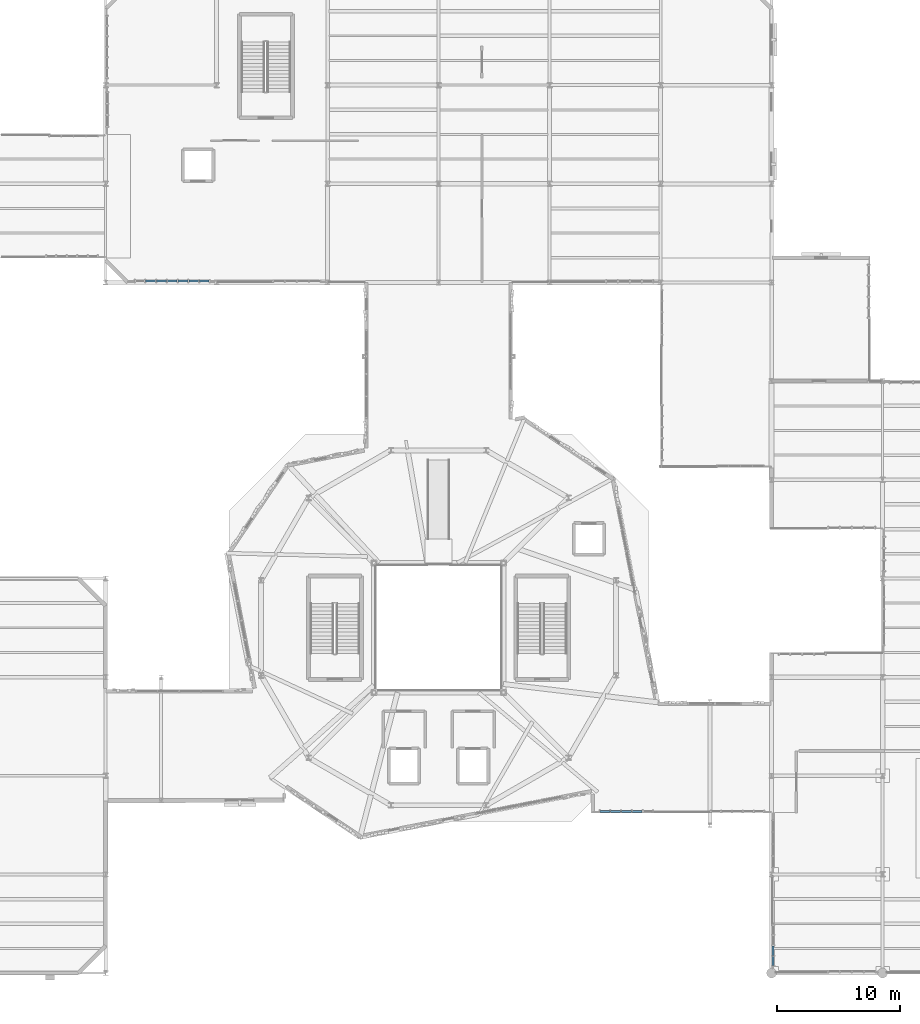
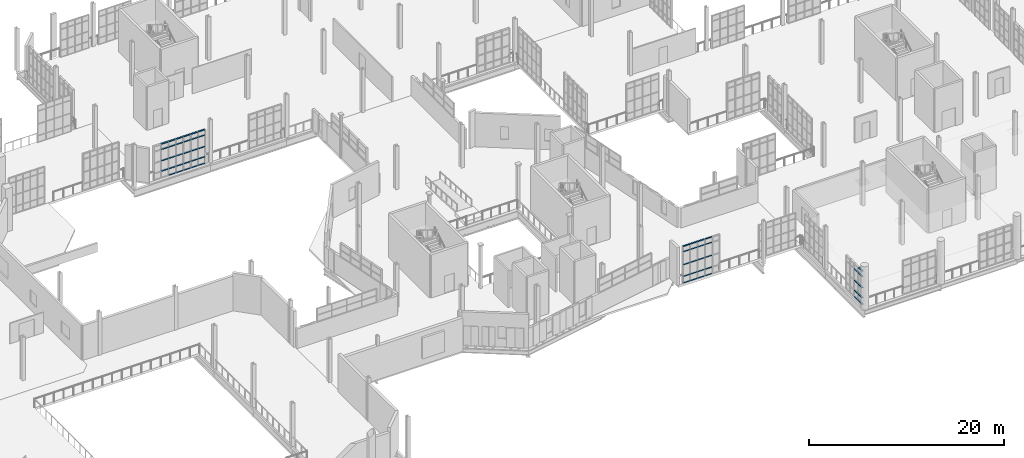
# One storey, part 87 of 142: 58 members, 3 elements without a shape of their own.
"""IFC4 building model written with IfcOpenShell, lengths in metres."""

from ifc_helpers import new_model, si_unit, direction, frame, origin, origin_2d, place, context, subcontext, project, spatial, hollow_rectangle, extrude, material, layer, layer_set, material_profile, profile_set, type_object, element, aggregate, save


model = new_model("IFC4")

# Units and contexts
model_context = context("Model", 3, precision=1e-05, world=origin(), true_north=direction((0.0, 1.0)))
body_context = subcontext(model_context, "Body", "Model", "MODEL_VIEW")
ifc_project = project(units=[si_unit("LENGTHUNIT", "METRE"), si_unit("AREAUNIT", "SQUARE_METRE"), si_unit("VOLUMEUNIT", "CUBIC_METRE"), si_unit("PLANEANGLEUNIT", "RADIAN"), si_unit("MASSUNIT", "GRAM", prefix="KILO"), si_unit("THERMODYNAMICTEMPERATUREUNIT", "KELVIN"), si_unit("POWERUNIT", "WATT")], contexts=[model_context])

# Site, building, storey
site_placement = place(None, origin())
site = spatial("IfcSite", under=ifc_project, at=site_placement, CompositionType="ELEMENT")
building_placement = place(site_placement, origin())
building = spatial("IfcBuilding", under=site, at=building_placement, Name="Zelmaris Science Centre", CompositionType="ELEMENT")
storey_placement = place(building_placement, frame((0.0, 0.0, 5.39990234375)))
storey = spatial("IfcBuildingStorey", under=building, at=storey_placement, Name="L01", CompositionType="ELEMENT", Elevation=5.39990234375)

# Curtain wall, members
ifc_material = material(Name="Anodised architectural aluminium 6063-T6", Category="aluminium")
ifc_layer_1 = layer(ifc_material, 0.199951171875, Name="Anodised architectural aluminium 6063-T6")
ifc_layer_set_1 = layer_set([ifc_layer_1], Name="Anodised architectural aluminium 6063-T6")
curtain_wall_type_1 = type_object("IfcCurtainWallType", Name="Curtain Wall CW-02", PredefinedType="USERDEFINED", material=ifc_layer_set_1)
curtain_wall_1_placement = place(storey_placement, origin())
curtain_wall_1 = element("IfcCurtainWall", 1, at=curtain_wall_1_placement, inside=storey, type_object=curtain_wall_type_1, Name="L01 Unitised curtain wall 174", ObjectType="GLAZED CURTAIN WALL", PredefinedType="USERDEFINED")
ifc_material_profile_1 = material_profile(ifc_material, hollow_rectangle(XDim=0.074951171875, YDim=0.159912109375, WallThickness=0.00390625, at=origin_2d()), Name="ALU-TRN-75X160")
ifc_profile_set_1 = profile_set([ifc_material_profile_1], Name="Anodised architectural aluminium 6063-T6")
member_type_1 = type_object("IfcMemberType", Name="ALU-TRN-75X160", PredefinedType="USERDEFINED", material=ifc_profile_set_1)
member_1_placement = place(storey_placement, frame((97.51123046875, 21.118896484375, 0.0185546875), z_axis=(-0.999999954473, 0.000301750137, 0.0), x_axis=(0.0, 0.0, 1.0)))
member_1 = element("IfcMember", 2, at=member_1_placement, type_object=member_type_1, Name="CW-02 transom 2.1", ObjectType="TRANSOM", PredefinedType="USERDEFINED", context=body_context, shape_type="SweptSolid", body=[
    extrude(hollow_rectangle(XDim=0.074951171875, YDim=0.159912109375, WallThickness=0.00390625, at=origin_2d()), origin(), (0.0, 0.0, 1.0), 0.80908203125),
])
member_2_placement = place(storey_placement, frame((97.51123046875, 21.118896484375, 0.835205078125), z_axis=(-0.999999954473, 0.000301750137, 0.0), x_axis=(0.0, 0.0, 1.0)))
member_2 = element("IfcMember", 3, at=member_2_placement, type_object=member_type_1, Name="CW-02 transom 2.2", ObjectType="TRANSOM", PredefinedType="USERDEFINED", context=body_context, shape_type="SweptSolid", body=[
    extrude(hollow_rectangle(XDim=0.074951171875, YDim=0.159912109375, WallThickness=0.00390625, at=origin_2d()), origin(), (0.0, 0.0, 1.0), 0.80908203125),
])
member_3_placement = place(storey_placement, frame((97.51123046875, 21.118896484375, 2.302490234375), z_axis=(-0.999999954473, 0.000301750137, 0.0), x_axis=(0.0, 0.0, 1.0)))
member_3 = element("IfcMember", 4, at=member_3_placement, type_object=member_type_1, Name="CW-02 transom 2.3", ObjectType="TRANSOM", PredefinedType="USERDEFINED", context=body_context, shape_type="SweptSolid", body=[
    extrude(hollow_rectangle(XDim=0.074951171875, YDim=0.159912109375, WallThickness=0.00390625, at=origin_2d()), origin(), (0.0, 0.0, 1.0), 0.80908203125),
])
member_4_placement = place(storey_placement, frame((97.51123046875, 21.118896484375, 3.920166015625), z_axis=(-0.999999954473, 0.000301750137, 0.0), x_axis=(0.0, 0.0, 1.0)))
member_4 = element("IfcMember", 5, at=member_4_placement, type_object=member_type_1, Name="CW-02 transom 2.4", ObjectType="TRANSOM", PredefinedType="USERDEFINED", context=body_context, shape_type="SweptSolid", body=[
    extrude(hollow_rectangle(XDim=0.074951171875, YDim=0.159912109375, WallThickness=0.00390625, at=origin_2d()), origin(), (0.0, 0.0, 1.0), 0.80908203125),
])
member_5_placement = place(storey_placement, frame((97.51123046875, 21.118896484375, 4.586669921875), z_axis=(-0.999999954473, 0.000301750137, 0.0), x_axis=(0.0, 0.0, 1.0)))
member_5 = element("IfcMember", 6, at=member_5_placement, type_object=member_type_1, Name="CW-02 transom 2.5", ObjectType="TRANSOM", PredefinedType="USERDEFINED", context=body_context, shape_type="SweptSolid", body=[
    extrude(hollow_rectangle(XDim=0.074951171875, YDim=0.159912109375, WallThickness=0.00390625, at=origin_2d()), origin(), (0.0, 0.0, 1.0), 0.80908203125),
])
member_6_placement = place(storey_placement, frame((96.63525390625, 21.119140625, 0.0185546875), z_axis=(-0.999999954501, 0.000301659111, 0.0), x_axis=(0.0, 0.0, 1.0)))
member_6 = element("IfcMember", 7, at=member_6_placement, type_object=member_type_1, Name="CW-02 transom 3.1", ObjectType="TRANSOM", PredefinedType="USERDEFINED", context=body_context, shape_type="SweptSolid", body=[
    extrude(hollow_rectangle(XDim=0.074951171875, YDim=0.159912109375, WallThickness=0.00390625, at=origin_2d()), origin(), (0.0, 0.0, 1.0), 0.809326171875),
])
member_7_placement = place(storey_placement, frame((96.63525390625, 21.119140625, 0.835205078125), z_axis=(-0.999999954501, 0.000301659111, 0.0), x_axis=(0.0, 0.0, 1.0)))
member_7 = element("IfcMember", 8, at=member_7_placement, type_object=member_type_1, Name="CW-02 transom 3.2", ObjectType="TRANSOM", PredefinedType="USERDEFINED", context=body_context, shape_type="SweptSolid", body=[
    extrude(hollow_rectangle(XDim=0.074951171875, YDim=0.159912109375, WallThickness=0.00390625, at=origin_2d()), origin(), (0.0, 0.0, 1.0), 0.809326171875),
])
member_8_placement = place(storey_placement, frame((96.63525390625, 21.119140625, 2.302490234375), z_axis=(-0.999999954501, 0.000301659111, 0.0), x_axis=(0.0, 0.0, 1.0)))
member_8 = element("IfcMember", 9, at=member_8_placement, type_object=member_type_1, Name="CW-02 transom 3.3", ObjectType="TRANSOM", PredefinedType="USERDEFINED", context=body_context, shape_type="SweptSolid", body=[
    extrude(hollow_rectangle(XDim=0.074951171875, YDim=0.159912109375, WallThickness=0.00390625, at=origin_2d()), origin(), (0.0, 0.0, 1.0), 0.809326171875),
])
member_9_placement = place(storey_placement, frame((96.63525390625, 21.119140625, 3.920166015625), z_axis=(-0.999999954501, 0.000301659111, 0.0), x_axis=(0.0, 0.0, 1.0)))
member_9 = element("IfcMember", 10, at=member_9_placement, type_object=member_type_1, Name="CW-02 transom 3.4", ObjectType="TRANSOM", PredefinedType="USERDEFINED", context=body_context, shape_type="SweptSolid", body=[
    extrude(hollow_rectangle(XDim=0.074951171875, YDim=0.159912109375, WallThickness=0.00390625, at=origin_2d()), origin(), (0.0, 0.0, 1.0), 0.809326171875),
])
member_10_placement = place(storey_placement, frame((96.63525390625, 21.119140625, 4.586669921875), z_axis=(-0.999999954501, 0.000301659111, 0.0), x_axis=(0.0, 0.0, 1.0)))
member_10 = element("IfcMember", 11, at=member_10_placement, type_object=member_type_1, Name="CW-02 transom 3.5", ObjectType="TRANSOM", PredefinedType="USERDEFINED", context=body_context, shape_type="SweptSolid", body=[
    extrude(hollow_rectangle(XDim=0.074951171875, YDim=0.159912109375, WallThickness=0.00390625, at=origin_2d()), origin(), (0.0, 0.0, 1.0), 0.809326171875),
])
member_11_placement = place(storey_placement, frame((95.759033203125, 21.119384765625, 0.0185546875), z_axis=(-0.999999954501, 0.000301659111, 0.0), x_axis=(0.0, 0.0, 1.0)))
member_11 = element("IfcMember", 12, at=member_11_placement, type_object=member_type_1, Name="CW-02 transom 4.1", ObjectType="TRANSOM", PredefinedType="USERDEFINED", context=body_context, shape_type="SweptSolid", body=[
    extrude(hollow_rectangle(XDim=0.074951171875, YDim=0.159912109375, WallThickness=0.00390625, at=origin_2d()), origin(), (0.0, 0.0, 1.0), 0.809326171875),
])
member_12_placement = place(storey_placement, frame((95.759033203125, 21.119384765625, 0.835205078125), z_axis=(-0.999999954501, 0.000301659111, 0.0), x_axis=(0.0, 0.0, 1.0)))
member_12 = element("IfcMember", 13, at=member_12_placement, type_object=member_type_1, Name="CW-02 transom 4.2", ObjectType="TRANSOM", PredefinedType="USERDEFINED", context=body_context, shape_type="SweptSolid", body=[
    extrude(hollow_rectangle(XDim=0.074951171875, YDim=0.159912109375, WallThickness=0.00390625, at=origin_2d()), origin(), (0.0, 0.0, 1.0), 0.809326171875),
])
member_13_placement = place(storey_placement, frame((95.759033203125, 21.119384765625, 2.302490234375), z_axis=(-0.999999954501, 0.000301659111, 0.0), x_axis=(0.0, 0.0, 1.0)))
member_13 = element("IfcMember", 14, at=member_13_placement, type_object=member_type_1, Name="CW-02 transom 4.3", ObjectType="TRANSOM", PredefinedType="USERDEFINED", context=body_context, shape_type="SweptSolid", body=[
    extrude(hollow_rectangle(XDim=0.074951171875, YDim=0.159912109375, WallThickness=0.00390625, at=origin_2d()), origin(), (0.0, 0.0, 1.0), 0.809326171875),
])
member_14_placement = place(storey_placement, frame((95.759033203125, 21.119384765625, 3.920166015625), z_axis=(-0.999999954501, 0.000301659111, 0.0), x_axis=(0.0, 0.0, 1.0)))
member_14 = element("IfcMember", 15, at=member_14_placement, type_object=member_type_1, Name="CW-02 transom 4.4", ObjectType="TRANSOM", PredefinedType="USERDEFINED", context=body_context, shape_type="SweptSolid", body=[
    extrude(hollow_rectangle(XDim=0.074951171875, YDim=0.159912109375, WallThickness=0.00390625, at=origin_2d()), origin(), (0.0, 0.0, 1.0), 0.809326171875),
])
member_15_placement = place(storey_placement, frame((95.759033203125, 21.119384765625, 4.586669921875), z_axis=(-0.999999954501, 0.000301659111, 0.0), x_axis=(0.0, 0.0, 1.0)))
member_15 = element("IfcMember", 16, at=member_15_placement, type_object=member_type_1, Name="CW-02 transom 4.5", ObjectType="TRANSOM", PredefinedType="USERDEFINED", context=body_context, shape_type="SweptSolid", body=[
    extrude(hollow_rectangle(XDim=0.074951171875, YDim=0.159912109375, WallThickness=0.00390625, at=origin_2d()), origin(), (0.0, 0.0, 1.0), 0.809326171875),
])
member_16_placement = place(storey_placement, frame((94.8828125, 21.11962890625, 0.0185546875), z_axis=(-0.999999950462, 0.000314762339, 0.0), x_axis=(0.0, 0.0, 1.0)))
member_16 = element("IfcMember", 17, at=member_16_placement, type_object=member_type_1, Name="CW-02 transom 5.1", ObjectType="TRANSOM", PredefinedType="USERDEFINED", context=body_context, shape_type="SweptSolid", body=[
    extrude(hollow_rectangle(XDim=0.074951171875, YDim=0.159912109375, WallThickness=0.00390625, at=origin_2d()), origin(), (0.0, 0.0, 1.0), 0.775634765625),
])
member_17_placement = place(storey_placement, frame((94.8828125, 21.11962890625, 0.835205078125), z_axis=(-0.999999950462, 0.000314762339, 0.0), x_axis=(0.0, 0.0, 1.0)))
member_17 = element("IfcMember", 18, at=member_17_placement, type_object=member_type_1, Name="CW-02 transom 5.2", ObjectType="TRANSOM", PredefinedType="USERDEFINED", context=body_context, shape_type="SweptSolid", body=[
    extrude(hollow_rectangle(XDim=0.074951171875, YDim=0.159912109375, WallThickness=0.00390625, at=origin_2d()), origin(), (0.0, 0.0, 1.0), 0.775634765625),
])
member_18_placement = place(storey_placement, frame((94.8828125, 21.11962890625, 2.302490234375), z_axis=(-0.999999950462, 0.000314762339, 0.0), x_axis=(0.0, 0.0, 1.0)))
member_18 = element("IfcMember", 19, at=member_18_placement, type_object=member_type_1, Name="CW-02 transom 5.3", ObjectType="TRANSOM", PredefinedType="USERDEFINED", context=body_context, shape_type="SweptSolid", body=[
    extrude(hollow_rectangle(XDim=0.074951171875, YDim=0.159912109375, WallThickness=0.00390625, at=origin_2d()), origin(), (0.0, 0.0, 1.0), 0.775634765625),
])
member_19_placement = place(storey_placement, frame((94.8828125, 21.11962890625, 3.920166015625), z_axis=(-0.999999950462, 0.000314762339, 0.0), x_axis=(0.0, 0.0, 1.0)))
member_19 = element("IfcMember", 20, at=member_19_placement, type_object=member_type_1, Name="CW-02 transom 5.4", ObjectType="TRANSOM", PredefinedType="USERDEFINED", context=body_context, shape_type="SweptSolid", body=[
    extrude(hollow_rectangle(XDim=0.074951171875, YDim=0.159912109375, WallThickness=0.00390625, at=origin_2d()), origin(), (0.0, 0.0, 1.0), 0.775634765625),
])
member_20_placement = place(storey_placement, frame((94.8828125, 21.11962890625, 4.586669921875), z_axis=(-0.999999950462, 0.000314762339, 0.0), x_axis=(0.0, 0.0, 1.0)))
member_20 = element("IfcMember", 21, at=member_20_placement, type_object=member_type_1, Name="CW-02 transom 5.5", ObjectType="TRANSOM", PredefinedType="USERDEFINED", context=body_context, shape_type="SweptSolid", body=[
    extrude(hollow_rectangle(XDim=0.074951171875, YDim=0.159912109375, WallThickness=0.00390625, at=origin_2d()), origin(), (0.0, 0.0, 1.0), 0.775634765625),
])
aggregate(curtain_wall_1, [member_1, member_2, member_3, member_4, member_5, member_6, member_7, member_8, member_9, member_10, member_11, member_12, member_13, member_14, member_15, member_16, member_17, member_18, member_19, member_20])

ifc_layer_2 = layer(ifc_material, 0.18994140625, Name="Anodised architectural aluminium 6063-T6")
ifc_layer_set_2 = layer_set([ifc_layer_2], Name="Anodised architectural aluminium 6063-T6")
curtain_wall_type_2 = type_object("IfcCurtainWallType", Name="Curtain Wall CW-01", PredefinedType="USERDEFINED", material=ifc_layer_set_2)
curtain_wall_2_placement = place(storey_placement, origin())
curtain_wall_2 = element("IfcCurtainWall", 22, at=curtain_wall_2_placement, inside=storey, type_object=curtain_wall_type_2, Name="L01 Unitised curtain wall 169", ObjectType="GLAZED CURTAIN WALL", PredefinedType="USERDEFINED")
ifc_material_profile_2 = material_profile(ifc_material, hollow_rectangle(XDim=0.080078125, YDim=0.18994140625, WallThickness=0.00439453125, at=origin_2d()), Name="ALU-TRN-80X190")
ifc_profile_set_2 = profile_set([ifc_material_profile_2], Name="Anodised architectural aluminium 6063-T6")
member_type_2 = type_object("IfcMemberType", Name="ALU-TRN-80X190", PredefinedType="USERDEFINED", material=ifc_profile_set_2)
member_21_placement = place(storey_placement, frame((108.1201171875, 8.612060546875, 0.02099609375), z_axis=(0.0, 1.0, 0.0), x_axis=(0.0, 0.0, 1.0)))
member_21 = element("IfcMember", 23, at=member_21_placement, type_object=member_type_2, Name="CW-01 transom 1.1", ObjectType="TRANSOM", PredefinedType="USERDEFINED", context=body_context, shape_type="SweptSolid", body=[
    extrude(hollow_rectangle(XDim=0.080078125, YDim=0.18994140625, WallThickness=0.00439453125, at=origin_2d()), origin(), (0.0, 0.0, 1.0), 0.741943359375),
])
member_22_placement = place(storey_placement, frame((108.1201171875, 8.612060546875, 0.835205078125), z_axis=(0.0, 1.0, 0.0), x_axis=(0.0, 0.0, 1.0)))
member_22 = element("IfcMember", 24, at=member_22_placement, type_object=member_type_2, Name="CW-01 transom 1.2", ObjectType="TRANSOM", PredefinedType="USERDEFINED", context=body_context, shape_type="SweptSolid", body=[
    extrude(hollow_rectangle(XDim=0.080078125, YDim=0.18994140625, WallThickness=0.00439453125, at=origin_2d()), origin(), (0.0, 0.0, 1.0), 0.741943359375),
])
member_23_placement = place(storey_placement, frame((108.1201171875, 8.612060546875, 2.085693359375), z_axis=(0.0, 1.0, 0.0), x_axis=(0.0, 0.0, 1.0)))
member_23 = element("IfcMember", 25, at=member_23_placement, type_object=member_type_2, Name="CW-01 transom 1.3", ObjectType="TRANSOM", PredefinedType="USERDEFINED", context=body_context, shape_type="SweptSolid", body=[
    extrude(hollow_rectangle(XDim=0.080078125, YDim=0.18994140625, WallThickness=0.00439453125, at=origin_2d()), origin(), (0.0, 0.0, 1.0), 0.741943359375),
])
member_24_placement = place(storey_placement, frame((108.1201171875, 8.612060546875, 3.486083984375), z_axis=(0.0, 1.0, 0.0), x_axis=(0.0, 0.0, 1.0)))
member_24 = element("IfcMember", 26, at=member_24_placement, type_object=member_type_2, Name="CW-01 transom 1.4", ObjectType="TRANSOM", PredefinedType="USERDEFINED", context=body_context, shape_type="SweptSolid", body=[
    extrude(hollow_rectangle(XDim=0.080078125, YDim=0.18994140625, WallThickness=0.00439453125, at=origin_2d()), origin(), (0.0, 0.0, 1.0), 0.741943359375),
])
member_25_placement = place(storey_placement, frame((108.1201171875, 8.612060546875, 4.150146484375), z_axis=(0.0, 1.0, 0.0), x_axis=(0.0, 0.0, 1.0)))
member_25 = element("IfcMember", 27, at=member_25_placement, type_object=member_type_2, Name="CW-01 transom 1.5", ObjectType="TRANSOM", PredefinedType="USERDEFINED", context=body_context, shape_type="SweptSolid", body=[
    extrude(hollow_rectangle(XDim=0.080078125, YDim=0.18994140625, WallThickness=0.00439453125, at=origin_2d()), origin(), (0.0, 0.0, 1.0), 0.741943359375),
])
member_26_placement = place(storey_placement, frame((108.1201171875, 9.426025390625, 0.02099609375), z_axis=(0.0, 1.0, 0.0), x_axis=(0.0, 0.0, 1.0)))
member_26 = element("IfcMember", 28, at=member_26_placement, type_object=member_type_2, Name="CW-01 transom 2.1", ObjectType="TRANSOM", PredefinedType="USERDEFINED", context=body_context, shape_type="SweptSolid", body=[
    extrude(hollow_rectangle(XDim=0.080078125, YDim=0.18994140625, WallThickness=0.00439453125, at=origin_2d()), origin(), (0.0, 0.0, 1.0), 0.778076171875),
])
member_27_placement = place(storey_placement, frame((108.1201171875, 9.426025390625, 0.835205078125), z_axis=(0.0, 1.0, 0.0), x_axis=(0.0, 0.0, 1.0)))
member_27 = element("IfcMember", 29, at=member_27_placement, type_object=member_type_2, Name="CW-01 transom 2.2", ObjectType="TRANSOM", PredefinedType="USERDEFINED", context=body_context, shape_type="SweptSolid", body=[
    extrude(hollow_rectangle(XDim=0.080078125, YDim=0.18994140625, WallThickness=0.00439453125, at=origin_2d()), origin(), (0.0, 0.0, 1.0), 0.778076171875),
])
member_28_placement = place(storey_placement, frame((108.1201171875, 9.426025390625, 2.085693359375), z_axis=(0.0, 1.0, 0.0), x_axis=(0.0, 0.0, 1.0)))
member_28 = element("IfcMember", 30, at=member_28_placement, type_object=member_type_2, Name="CW-01 transom 2.3", ObjectType="TRANSOM", PredefinedType="USERDEFINED", context=body_context, shape_type="SweptSolid", body=[
    extrude(hollow_rectangle(XDim=0.080078125, YDim=0.18994140625, WallThickness=0.00439453125, at=origin_2d()), origin(), (0.0, 0.0, 1.0), 0.778076171875),
])
member_29_placement = place(storey_placement, frame((108.1201171875, 9.426025390625, 3.486083984375), z_axis=(0.0, 1.0, 0.0), x_axis=(0.0, 0.0, 1.0)))
member_29 = element("IfcMember", 31, at=member_29_placement, type_object=member_type_2, Name="CW-01 transom 2.4", ObjectType="TRANSOM", PredefinedType="USERDEFINED", context=body_context, shape_type="SweptSolid", body=[
    extrude(hollow_rectangle(XDim=0.080078125, YDim=0.18994140625, WallThickness=0.00439453125, at=origin_2d()), origin(), (0.0, 0.0, 1.0), 0.778076171875),
])
aggregate(curtain_wall_2, [member_21, member_22, member_23, member_24, member_25, member_26, member_27, member_28, member_29])

curtain_wall_3_placement = place(storey_placement, origin())
curtain_wall_3 = element("IfcCurtainWall", 32, at=curtain_wall_3_placement, inside=storey, type_object=curtain_wall_type_2, Name="L01 Unitised curtain wall 197", ObjectType="GLAZED CURTAIN WALL", PredefinedType="USERDEFINED")
member_30_placement = place(storey_placement, frame((62.38818359375, 64.114013671875, 0.02099609375), z_axis=(-0.999999543302, 0.000955717945, 0.0), x_axis=(0.0, 0.0, 1.0)))
member_30 = element("IfcMember", 33, at=member_30_placement, type_object=member_type_2, Name="CW-01 transom 1.1", ObjectType="TRANSOM", PredefinedType="USERDEFINED", context=body_context, shape_type="SweptSolid", body=[
    extrude(hollow_rectangle(XDim=0.080078125, YDim=0.18994140625, WallThickness=0.00439453125, at=origin_2d()), origin(), (0.0, 0.0, 1.0), 0.766357421875),
])
member_31_placement = place(storey_placement, frame((62.38818359375, 64.114013671875, 0.835205078125), z_axis=(-0.999999543302, 0.000955717945, 0.0), x_axis=(0.0, 0.0, 1.0)))
member_31 = element("IfcMember", 34, at=member_31_placement, type_object=member_type_2, Name="CW-01 transom 1.2", ObjectType="TRANSOM", PredefinedType="USERDEFINED", context=body_context, shape_type="SweptSolid", body=[
    extrude(hollow_rectangle(XDim=0.080078125, YDim=0.18994140625, WallThickness=0.00439453125, at=origin_2d()), origin(), (0.0, 0.0, 1.0), 0.766357421875),
])
member_32_placement = place(storey_placement, frame((62.38818359375, 64.114013671875, 2.114501953125), z_axis=(-0.999999543302, 0.000955717945, 0.0), x_axis=(0.0, 0.0, 1.0)))
member_32 = element("IfcMember", 35, at=member_32_placement, type_object=member_type_2, Name="CW-01 transom 1.3", ObjectType="TRANSOM", PredefinedType="USERDEFINED", context=body_context, shape_type="SweptSolid", body=[
    extrude(hollow_rectangle(XDim=0.080078125, YDim=0.18994140625, WallThickness=0.00439453125, at=origin_2d()), origin(), (0.0, 0.0, 1.0), 0.766357421875),
])
member_33_placement = place(storey_placement, frame((62.38818359375, 64.114013671875, 3.544189453125), z_axis=(-0.999999543302, 0.000955717945, 0.0), x_axis=(0.0, 0.0, 1.0)))
member_33 = element("IfcMember", 36, at=member_33_placement, type_object=member_type_2, Name="CW-01 transom 1.4", ObjectType="TRANSOM", PredefinedType="USERDEFINED", context=body_context, shape_type="SweptSolid", body=[
    extrude(hollow_rectangle(XDim=0.080078125, YDim=0.18994140625, WallThickness=0.00439453125, at=origin_2d()), origin(), (0.0, 0.0, 1.0), 0.766357421875),
])
member_34_placement = place(storey_placement, frame((62.38818359375, 64.114013671875, 4.2080078125), z_axis=(-0.999999543302, 0.000955717945, 0.0), x_axis=(0.0, 0.0, 1.0)))
member_34 = element("IfcMember", 37, at=member_34_placement, type_object=member_type_2, Name="CW-01 transom 1.5", ObjectType="TRANSOM", PredefinedType="USERDEFINED", context=body_context, shape_type="SweptSolid", body=[
    extrude(hollow_rectangle(XDim=0.080078125, YDim=0.18994140625, WallThickness=0.00439453125, at=origin_2d()), origin(), (0.0, 0.0, 1.0), 0.766357421875),
])
member_35_placement = place(storey_placement, frame((61.5498046875, 64.11474609375, 0.02099609375), z_axis=(-0.999999583249, 0.00091296371, 0.0), x_axis=(0.0, 0.0, 1.0)))
member_35 = element("IfcMember", 38, at=member_35_placement, type_object=member_type_2, Name="CW-01 transom 2.1", ObjectType="TRANSOM", PredefinedType="USERDEFINED", context=body_context, shape_type="SweptSolid", body=[
    extrude(hollow_rectangle(XDim=0.080078125, YDim=0.18994140625, WallThickness=0.00439453125, at=origin_2d()), origin(), (0.0, 0.0, 1.0), 0.80224609375),
])
member_36_placement = place(storey_placement, frame((61.5498046875, 64.11474609375, 0.835205078125), z_axis=(-0.999999583249, 0.00091296371, 0.0), x_axis=(0.0, 0.0, 1.0)))
member_36 = element("IfcMember", 39, at=member_36_placement, type_object=member_type_2, Name="CW-01 transom 2.2", ObjectType="TRANSOM", PredefinedType="USERDEFINED", context=body_context, shape_type="SweptSolid", body=[
    extrude(hollow_rectangle(XDim=0.080078125, YDim=0.18994140625, WallThickness=0.00439453125, at=origin_2d()), origin(), (0.0, 0.0, 1.0), 0.80224609375),
])
member_37_placement = place(storey_placement, frame((61.5498046875, 64.11474609375, 2.114501953125), z_axis=(-0.999999583249, 0.00091296371, 0.0), x_axis=(0.0, 0.0, 1.0)))
member_37 = element("IfcMember", 40, at=member_37_placement, type_object=member_type_2, Name="CW-01 transom 2.3", ObjectType="TRANSOM", PredefinedType="USERDEFINED", context=body_context, shape_type="SweptSolid", body=[
    extrude(hollow_rectangle(XDim=0.080078125, YDim=0.18994140625, WallThickness=0.00439453125, at=origin_2d()), origin(), (0.0, 0.0, 1.0), 0.80224609375),
])
member_38_placement = place(storey_placement, frame((61.5498046875, 64.11474609375, 3.544189453125), z_axis=(-0.999999583249, 0.00091296371, 0.0), x_axis=(0.0, 0.0, 1.0)))
member_38 = element("IfcMember", 41, at=member_38_placement, type_object=member_type_2, Name="CW-01 transom 2.4", ObjectType="TRANSOM", PredefinedType="USERDEFINED", context=body_context, shape_type="SweptSolid", body=[
    extrude(hollow_rectangle(XDim=0.080078125, YDim=0.18994140625, WallThickness=0.00439453125, at=origin_2d()), origin(), (0.0, 0.0, 1.0), 0.80224609375),
])
member_39_placement = place(storey_placement, frame((61.5498046875, 64.11474609375, 4.2080078125), z_axis=(-0.999999583249, 0.00091296371, 0.0), x_axis=(0.0, 0.0, 1.0)))
member_39 = element("IfcMember", 42, at=member_39_placement, type_object=member_type_2, Name="CW-01 transom 2.5", ObjectType="TRANSOM", PredefinedType="USERDEFINED", context=body_context, shape_type="SweptSolid", body=[
    extrude(hollow_rectangle(XDim=0.080078125, YDim=0.18994140625, WallThickness=0.00439453125, at=origin_2d()), origin(), (0.0, 0.0, 1.0), 0.80224609375),
])
member_40_placement = place(storey_placement, frame((60.675537109375, 64.115478515625, 0.02099609375), z_axis=(-0.999999583249, 0.00091296371, 0.0), x_axis=(0.0, 0.0, 1.0)))
member_40 = element("IfcMember", 43, at=member_40_placement, type_object=member_type_2, Name="CW-01 transom 3.1", ObjectType="TRANSOM", PredefinedType="USERDEFINED", context=body_context, shape_type="SweptSolid", body=[
    extrude(hollow_rectangle(XDim=0.080078125, YDim=0.18994140625, WallThickness=0.00439453125, at=origin_2d()), origin(), (0.0, 0.0, 1.0), 0.80224609375),
])
member_41_placement = place(storey_placement, frame((60.675537109375, 64.115478515625, 0.835205078125), z_axis=(-0.999999583249, 0.00091296371, 0.0), x_axis=(0.0, 0.0, 1.0)))
member_41 = element("IfcMember", 44, at=member_41_placement, type_object=member_type_2, Name="CW-01 transom 3.2", ObjectType="TRANSOM", PredefinedType="USERDEFINED", context=body_context, shape_type="SweptSolid", body=[
    extrude(hollow_rectangle(XDim=0.080078125, YDim=0.18994140625, WallThickness=0.00439453125, at=origin_2d()), origin(), (0.0, 0.0, 1.0), 0.80224609375),
])
member_42_placement = place(storey_placement, frame((60.675537109375, 64.115478515625, 2.114501953125), z_axis=(-0.999999583249, 0.00091296371, 0.0), x_axis=(0.0, 0.0, 1.0)))
member_42 = element("IfcMember", 45, at=member_42_placement, type_object=member_type_2, Name="CW-01 transom 3.3", ObjectType="TRANSOM", PredefinedType="USERDEFINED", context=body_context, shape_type="SweptSolid", body=[
    extrude(hollow_rectangle(XDim=0.080078125, YDim=0.18994140625, WallThickness=0.00439453125, at=origin_2d()), origin(), (0.0, 0.0, 1.0), 0.80224609375),
])
member_43_placement = place(storey_placement, frame((60.675537109375, 64.115478515625, 3.544189453125), z_axis=(-0.999999583249, 0.00091296371, 0.0), x_axis=(0.0, 0.0, 1.0)))
member_43 = element("IfcMember", 46, at=member_43_placement, type_object=member_type_2, Name="CW-01 transom 3.4", ObjectType="TRANSOM", PredefinedType="USERDEFINED", context=body_context, shape_type="SweptSolid", body=[
    extrude(hollow_rectangle(XDim=0.080078125, YDim=0.18994140625, WallThickness=0.00439453125, at=origin_2d()), origin(), (0.0, 0.0, 1.0), 0.80224609375),
])
member_44_placement = place(storey_placement, frame((60.675537109375, 64.115478515625, 4.2080078125), z_axis=(-0.999999583249, 0.00091296371, 0.0), x_axis=(0.0, 0.0, 1.0)))
member_44 = element("IfcMember", 47, at=member_44_placement, type_object=member_type_2, Name="CW-01 transom 3.5", ObjectType="TRANSOM", PredefinedType="USERDEFINED", context=body_context, shape_type="SweptSolid", body=[
    extrude(hollow_rectangle(XDim=0.080078125, YDim=0.18994140625, WallThickness=0.00439453125, at=origin_2d()), origin(), (0.0, 0.0, 1.0), 0.80224609375),
])
member_45_placement = place(storey_placement, frame((59.80126953125, 64.116455078125, 0.02099609375), z_axis=(-0.999999583249, 0.00091296371, 0.0), x_axis=(0.0, 0.0, 1.0)))
member_45 = element("IfcMember", 48, at=member_45_placement, type_object=member_type_2, Name="CW-01 transom 4.1", ObjectType="TRANSOM", PredefinedType="USERDEFINED", context=body_context, shape_type="SweptSolid", body=[
    extrude(hollow_rectangle(XDim=0.080078125, YDim=0.18994140625, WallThickness=0.00439453125, at=origin_2d()), origin(), (0.0, 0.0, 1.0), 0.80224609375),
])
member_46_placement = place(storey_placement, frame((59.80126953125, 64.116455078125, 0.835205078125), z_axis=(-0.999999583249, 0.00091296371, 0.0), x_axis=(0.0, 0.0, 1.0)))
member_46 = element("IfcMember", 49, at=member_46_placement, type_object=member_type_2, Name="CW-01 transom 4.2", ObjectType="TRANSOM", PredefinedType="USERDEFINED", context=body_context, shape_type="SweptSolid", body=[
    extrude(hollow_rectangle(XDim=0.080078125, YDim=0.18994140625, WallThickness=0.00439453125, at=origin_2d()), origin(), (0.0, 0.0, 1.0), 0.80224609375),
])
member_47_placement = place(storey_placement, frame((59.80126953125, 64.116455078125, 2.114501953125), z_axis=(-0.999999583249, 0.00091296371, 0.0), x_axis=(0.0, 0.0, 1.0)))
member_47 = element("IfcMember", 50, at=member_47_placement, type_object=member_type_2, Name="CW-01 transom 4.3", ObjectType="TRANSOM", PredefinedType="USERDEFINED", context=body_context, shape_type="SweptSolid", body=[
    extrude(hollow_rectangle(XDim=0.080078125, YDim=0.18994140625, WallThickness=0.00439453125, at=origin_2d()), origin(), (0.0, 0.0, 1.0), 0.80224609375),
])
member_48_placement = place(storey_placement, frame((59.80126953125, 64.116455078125, 3.544189453125), z_axis=(-0.999999583249, 0.00091296371, 0.0), x_axis=(0.0, 0.0, 1.0)))
member_48 = element("IfcMember", 51, at=member_48_placement, type_object=member_type_2, Name="CW-01 transom 4.4", ObjectType="TRANSOM", PredefinedType="USERDEFINED", context=body_context, shape_type="SweptSolid", body=[
    extrude(hollow_rectangle(XDim=0.080078125, YDim=0.18994140625, WallThickness=0.00439453125, at=origin_2d()), origin(), (0.0, 0.0, 1.0), 0.80224609375),
])
member_49_placement = place(storey_placement, frame((59.80126953125, 64.116455078125, 4.2080078125), z_axis=(-0.999999583249, 0.00091296371, 0.0), x_axis=(0.0, 0.0, 1.0)))
member_49 = element("IfcMember", 52, at=member_49_placement, type_object=member_type_2, Name="CW-01 transom 4.5", ObjectType="TRANSOM", PredefinedType="USERDEFINED", context=body_context, shape_type="SweptSolid", body=[
    extrude(hollow_rectangle(XDim=0.080078125, YDim=0.18994140625, WallThickness=0.00439453125, at=origin_2d()), origin(), (0.0, 0.0, 1.0), 0.80224609375),
])
member_50_placement = place(storey_placement, frame((58.927001953125, 64.1171875, 0.02099609375), z_axis=(-0.999999583249, 0.00091296371, 0.0), x_axis=(0.0, 0.0, 1.0)))
member_50 = element("IfcMember", 53, at=member_50_placement, type_object=member_type_2, Name="CW-01 transom 5.1", ObjectType="TRANSOM", PredefinedType="USERDEFINED", context=body_context, shape_type="SweptSolid", body=[
    extrude(hollow_rectangle(XDim=0.080078125, YDim=0.18994140625, WallThickness=0.00439453125, at=origin_2d()), origin(), (0.0, 0.0, 1.0), 0.80224609375),
])
member_51_placement = place(storey_placement, frame((58.927001953125, 64.1171875, 0.835205078125), z_axis=(-0.999999583249, 0.00091296371, 0.0), x_axis=(0.0, 0.0, 1.0)))
member_51 = element("IfcMember", 54, at=member_51_placement, type_object=member_type_2, Name="CW-01 transom 5.2", ObjectType="TRANSOM", PredefinedType="USERDEFINED", context=body_context, shape_type="SweptSolid", body=[
    extrude(hollow_rectangle(XDim=0.080078125, YDim=0.18994140625, WallThickness=0.00439453125, at=origin_2d()), origin(), (0.0, 0.0, 1.0), 0.80224609375),
])
member_52_placement = place(storey_placement, frame((58.927001953125, 64.1171875, 2.114501953125), z_axis=(-0.999999583249, 0.00091296371, 0.0), x_axis=(0.0, 0.0, 1.0)))
member_52 = element("IfcMember", 55, at=member_52_placement, type_object=member_type_2, Name="CW-01 transom 5.3", ObjectType="TRANSOM", PredefinedType="USERDEFINED", context=body_context, shape_type="SweptSolid", body=[
    extrude(hollow_rectangle(XDim=0.080078125, YDim=0.18994140625, WallThickness=0.00439453125, at=origin_2d()), origin(), (0.0, 0.0, 1.0), 0.80224609375),
])
member_53_placement = place(storey_placement, frame((58.927001953125, 64.1171875, 3.544189453125), z_axis=(-0.999999583249, 0.00091296371, 0.0), x_axis=(0.0, 0.0, 1.0)))
member_53 = element("IfcMember", 56, at=member_53_placement, type_object=member_type_2, Name="CW-01 transom 5.4", ObjectType="TRANSOM", PredefinedType="USERDEFINED", context=body_context, shape_type="SweptSolid", body=[
    extrude(hollow_rectangle(XDim=0.080078125, YDim=0.18994140625, WallThickness=0.00439453125, at=origin_2d()), origin(), (0.0, 0.0, 1.0), 0.80224609375),
])
member_54_placement = place(storey_placement, frame((58.927001953125, 64.1171875, 4.2080078125), z_axis=(-0.999999583249, 0.00091296371, 0.0), x_axis=(0.0, 0.0, 1.0)))
member_54 = element("IfcMember", 57, at=member_54_placement, type_object=member_type_2, Name="CW-01 transom 5.5", ObjectType="TRANSOM", PredefinedType="USERDEFINED", context=body_context, shape_type="SweptSolid", body=[
    extrude(hollow_rectangle(XDim=0.080078125, YDim=0.18994140625, WallThickness=0.00439453125, at=origin_2d()), origin(), (0.0, 0.0, 1.0), 0.80224609375),
])
member_55_placement = place(storey_placement, frame((58.052734375, 64.117919921875, 0.835205078125), z_axis=(-0.999999583249, 0.00091296371, 0.0), x_axis=(0.0, 0.0, 1.0)))
member_55 = element("IfcMember", 58, at=member_55_placement, type_object=member_type_2, Name="CW-01 transom 6.2", ObjectType="TRANSOM", PredefinedType="USERDEFINED", context=body_context, shape_type="SweptSolid", body=[
    extrude(hollow_rectangle(XDim=0.080078125, YDim=0.18994140625, WallThickness=0.00439453125, at=origin_2d()), origin(), (0.0, 0.0, 1.0), 0.80224609375),
])
member_56_placement = place(storey_placement, frame((58.052734375, 64.117919921875, 2.114501953125), z_axis=(-0.999999583249, 0.00091296371, 0.0), x_axis=(0.0, 0.0, 1.0)))
member_56 = element("IfcMember", 59, at=member_56_placement, type_object=member_type_2, Name="CW-01 transom 6.3", ObjectType="TRANSOM", PredefinedType="USERDEFINED", context=body_context, shape_type="SweptSolid", body=[
    extrude(hollow_rectangle(XDim=0.080078125, YDim=0.18994140625, WallThickness=0.00439453125, at=origin_2d()), origin(), (0.0, 0.0, 1.0), 0.80224609375),
])
member_57_placement = place(storey_placement, frame((58.052734375, 64.117919921875, 3.544189453125), z_axis=(-0.999999583249, 0.00091296371, 0.0), x_axis=(0.0, 0.0, 1.0)))
member_57 = element("IfcMember", 60, at=member_57_placement, type_object=member_type_2, Name="CW-01 transom 6.4", ObjectType="TRANSOM", PredefinedType="USERDEFINED", context=body_context, shape_type="SweptSolid", body=[
    extrude(hollow_rectangle(XDim=0.080078125, YDim=0.18994140625, WallThickness=0.00439453125, at=origin_2d()), origin(), (0.0, 0.0, 1.0), 0.80224609375),
])
member_58_placement = place(storey_placement, frame((58.052734375, 64.117919921875, 4.2080078125), z_axis=(-0.999999583249, 0.00091296371, 0.0), x_axis=(0.0, 0.0, 1.0)))
member_58 = element("IfcMember", 61, at=member_58_placement, type_object=member_type_2, Name="CW-01 transom 6.5", ObjectType="TRANSOM", PredefinedType="USERDEFINED", context=body_context, shape_type="SweptSolid", body=[
    extrude(hollow_rectangle(XDim=0.080078125, YDim=0.18994140625, WallThickness=0.00439453125, at=origin_2d()), origin(), (0.0, 0.0, 1.0), 0.80224609375),
])
aggregate(curtain_wall_3, [member_30, member_31, member_32, member_33, member_34, member_35, member_36, member_37, member_38, member_39, member_40, member_41, member_42, member_43, member_44, member_45, member_46, member_47, member_48, member_49, member_50, member_51, member_52, member_53, member_54, member_55, member_56, member_57, member_58])

save(model, "model.ifc")
